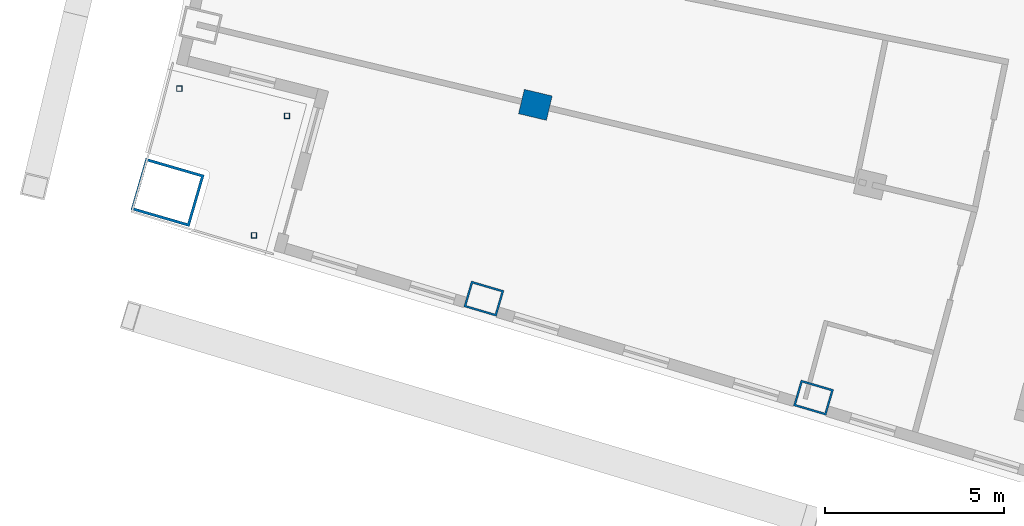
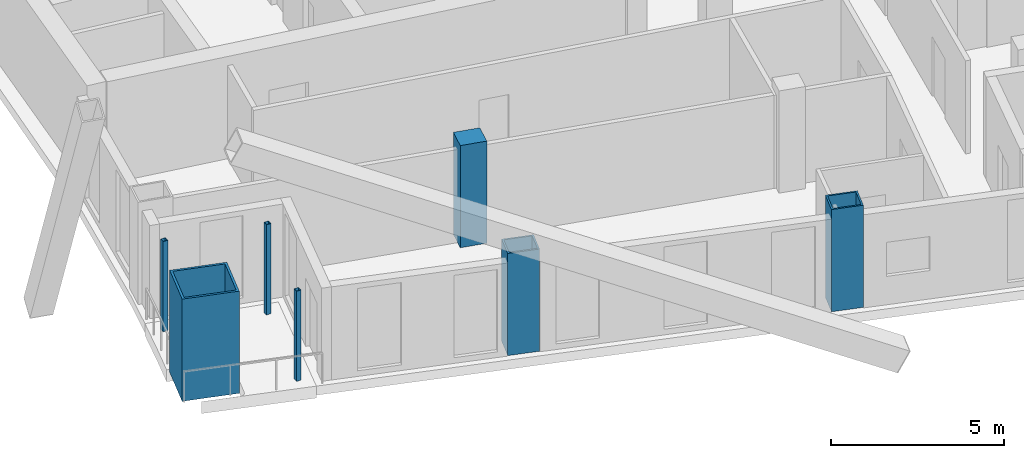
# One storey, part 1 of 19: 7 columns.
"""IFC4 building model written with IfcOpenShell, lengths in metres."""

from ifc_helpers import new_model, si_unit, direction, frame, origin, origin_2d, place, context, subcontext, project, spatial, rectangle, hollow_rectangle, extrude, material, material_profile, profile_set, type_object, element, save


model = new_model("IFC4")

# Units and contexts
model_context = context("Model", 3, precision=1e-05, world=origin(), true_north=direction((0.0, 1.0)))
body_context = subcontext(model_context, "Body", "Model", "MODEL_VIEW")
ifc_project = project(units=[si_unit("LENGTHUNIT", "METRE"), si_unit("AREAUNIT", "SQUARE_METRE"), si_unit("VOLUMEUNIT", "CUBIC_METRE"), si_unit("PLANEANGLEUNIT", "RADIAN"), si_unit("MASSUNIT", "GRAM", prefix="KILO")], contexts=[model_context])

# Site, building, storey
site_placement = place(None, origin())
site = spatial("IfcSite", under=ifc_project, at=site_placement, CompositionType="ELEMENT")
building_placement = place(site_placement, origin())
building = spatial("IfcBuilding", under=site, at=building_placement, Name="Alderwake Tower", CompositionType="ELEMENT")
storey_placement = place(building_placement, frame((0.0, 0.0, 221.60009765625)))
storey = spatial("IfcBuildingStorey", under=building, at=storey_placement, Name="L55", CompositionType="ELEMENT", Elevation=221.60009765625)

# Columns
ifc_material_1 = material(Name="Steel ASTM A572 Grade 50 concrete filled C70/85", Category="concrete")
ifc_material_profile_1 = material_profile(ifc_material_1, hollow_rectangle(XDim=0.75, YDim=0.949951171875, WallThickness=0.054931640625, at=origin_2d()), Name="BOX 950X750X55")
ifc_profile_set_1 = profile_set([ifc_material_profile_1], Name="Steel ASTM A572 Grade 50 concrete filled C70/85")
column_type_1 = type_object("IfcColumnType", Name="End column Z4", PredefinedType="COLUMN", material=ifc_profile_set_1)
for number, where, z_axis, x_axis, name in (
    (1, (21.885498046875, 31.03759765625, 0.0), (0.0, 0.0, 1.0), (0.282132160283, 0.95937554906, 0.0), "Column R02-C1"),
    (2, (31.080322265625, 28.27685546875, 0.0), (0.0, 0.0, 1.0), (0.282582549822, 0.959242984095, 0.0), "Column R02-C2"),
):
    element("IfcColumn", number, at=place(storey_placement, frame(where, z_axis=z_axis, x_axis=x_axis)), inside=storey, type_object=column_type_1, Name=name, PredefinedType="COLUMN", context=body_context, shape_type="SweptSolid", body=[
        extrude(hollow_rectangle(XDim=0.75, YDim=0.949951171875, WallThickness=0.054931640625, at=origin_2d()), origin(), (0.0, 0.0, 1.0), 3.599853515625),
    ])
ifc_material_2 = material(Name="Concrete C70/85", Category="concrete")
ifc_material_profile_2 = material_profile(ifc_material_2, rectangle(XDim=0.699951171875, YDim=0.800048828125, at=origin_2d()), Name="RC 800X700")
ifc_profile_set_2 = profile_set([ifc_material_profile_2], Name="Concrete C70/85")
column_type_2 = type_object("IfcColumnType", Name="Interior column Z4", PredefinedType="COLUMN", material=ifc_profile_set_2)
column_1_placement = place(storey_placement, frame((23.322021484375, 36.444091796875, 0.0), z_axis=(0.0, 0.0, 1.0), x_axis=(0.231221547198, 0.972901123502, 0.0)))
element("IfcColumn", 3, at=column_1_placement, inside=storey, type_object=column_type_2, Name="Column R03-C1", PredefinedType="COLUMN", context=body_context, shape_type="SweptSolid", body=[
    extrude(rectangle(XDim=0.699951171875, YDim=0.800048828125, at=origin_2d()), origin(), (0.0, 0.0, 1.0), 3.599853515625),
])
ifc_material_3 = material(Name="Steel ASTM A500 Grade C", Category="steel")
ifc_material_profile_3 = material_profile(ifc_material_3, hollow_rectangle(XDim=0.15234375, YDim=0.15234375, WallThickness=0.0087890625, at=origin_2d()), Name="HSS6X6X3/8")
ifc_profile_set_3 = profile_set([ifc_material_profile_3], Name="Steel ASTM A500 Grade C")
column_type_3 = type_object("IfcColumnType", Name="Light post HSS6X6X3/8", PredefinedType="COLUMN", material=ifc_profile_set_3)
for number, where, z_axis, x_axis, name in (
    (4, (13.3896484375, 36.896484375, 0.0), (0.0, 0.0, 1.0), (1.0, 0.0, 0.0), "Terrace post RS1"),
    (5, (15.47412109375, 32.805908203125, 0.0), (0.0, 0.0, 1.0), (1.0, 0.0, 0.0), "Terrace post RS2"),
    (6, (16.39501953125, 36.135986328125, 0.0), (0.0, 0.0, 1.0), (1.0, 0.0, 0.0), "Terrace post RS3"),
):
    element("IfcColumn", number, at=place(storey_placement, frame(where, z_axis=z_axis, x_axis=x_axis)), inside=storey, type_object=column_type_3, Name=name, PredefinedType="COLUMN", context=body_context, shape_type="SweptSolid", body=[
        extrude(hollow_rectangle(XDim=0.15234375, YDim=0.15234375, WallThickness=0.0087890625, at=origin_2d()), origin(), (0.0, 0.0, 1.0), 3.179931640625),
    ])
ifc_material_4 = material(Name="Steel ASTM A572 Grade 50 concrete filled C70/85", Category="concrete")
ifc_material_profile_4 = material_profile(ifc_material_4, hollow_rectangle(XDim=1.5, YDim=1.699951171875, WallThickness=0.074951171875, at=origin_2d()), Name="BOX 1700X1500X75")
ifc_profile_set_4 = profile_set([ifc_material_profile_4], Name="Steel ASTM A572 Grade 50 concrete filled C70/85")
column_type_4 = type_object("IfcColumnType", Name="Mega column Z4", PredefinedType="COLUMN", material=ifc_profile_set_4)
column_2_placement = place(storey_placement, frame((13.06298828125, 34.00244140625, 0.0), z_axis=(0.0, 0.0, 1.0), x_axis=(0.278612301868, 0.960403657452, 0.0)))
element("IfcColumn", 7, at=column_2_placement, inside=storey, type_object=column_type_4, Name="Column R02-C0", PredefinedType="COLUMN", context=body_context, shape_type="SweptSolid", body=[
    extrude(hollow_rectangle(XDim=1.5, YDim=1.699951171875, WallThickness=0.074951171875, at=origin_2d()), origin(), (0.0, 0.0, 1.0), 3.599853515625),
])

save(model, "model.ifc")
